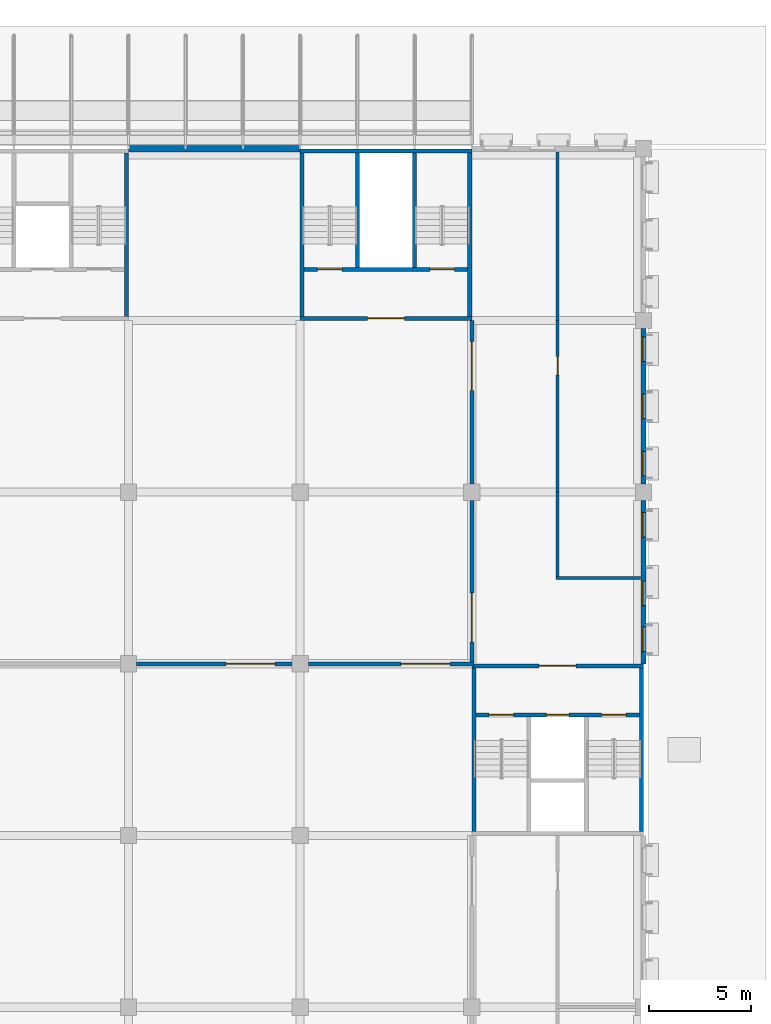
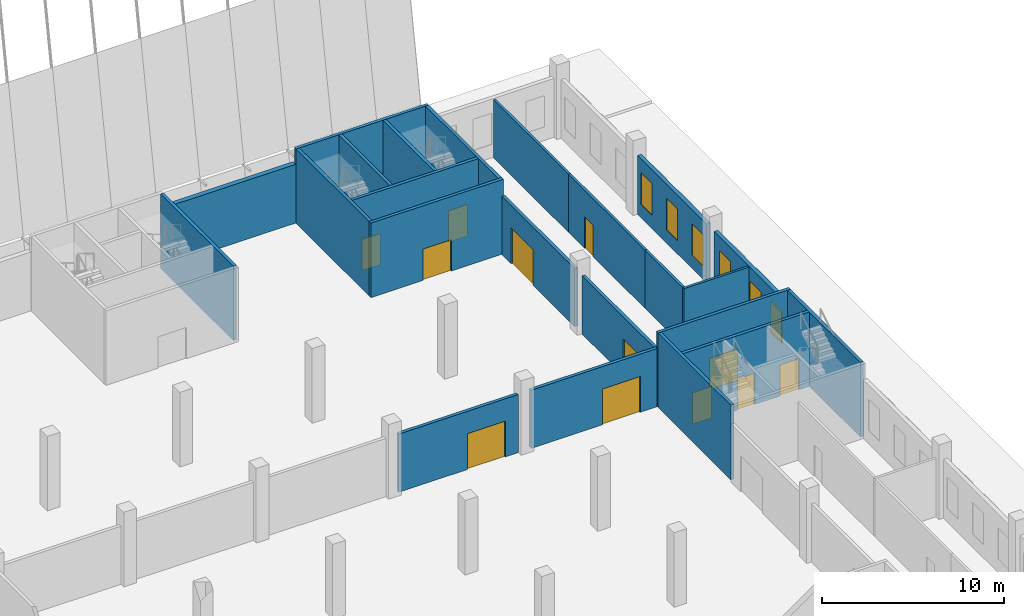
# One storey, part 41 of 101: 23 walls, 12 doors, 6 windows, 18 openings.
"""IFC4 building model written with IfcOpenShell, lengths in metres."""

from ifc_helpers import new_model, si_unit, direction, frame, frame_2d, origin, place, context, subcontext, project, spatial, rectangle, extrude, material, layer, layer_set, type_object, element, fill, save


model = new_model("IFC4")

# Units and contexts
model_context = context("Model", 3, precision=1e-05, world=origin(), true_north=direction((0.0, 1.0)))
body_context = subcontext(model_context, "Body", "Model", "MODEL_VIEW")
ifc_project = project(units=[si_unit("LENGTHUNIT", "METRE"), si_unit("AREAUNIT", "SQUARE_METRE"), si_unit("VOLUMEUNIT", "CUBIC_METRE"), si_unit("PLANEANGLEUNIT", "RADIAN"), si_unit("MASSUNIT", "GRAM", prefix="KILO")], contexts=[model_context])

# Site, building, storey
site_placement = place(None, origin())
site = spatial("IfcSite", under=ifc_project, at=site_placement, CompositionType="ELEMENT")
building_placement = place(site_placement, origin())
building = spatial("IfcBuilding", under=site, at=building_placement, Name="Almond Square Museum", CompositionType="ELEMENT")
storey_placement = place(building_placement, frame((0.0, 0.0, 5.5)))
storey = spatial("IfcBuildingStorey", under=building, at=storey_placement, Name="L01", CompositionType="ELEMENT", Elevation=5.5)

# Wall
ifc_material_1 = material(Name="Concrete C30/37", Category="concrete")
ifc_layer_1 = layer(ifc_material_1, 0.300048828125)
ifc_layer_set_1 = layer_set([ifc_layer_1], Name="Concrete C30/37")
wall_type_1 = type_object("IfcWallType", Name="Cast concrete wall 300 C30/37 behind louvre skin", PredefinedType="SOLIDWALL", material=ifc_layer_set_1)
wall_1_placement = place(storey_placement, frame((132.0, 109.199951171875, 0.0), z_axis=(0.0, 0.0, 1.0), x_axis=(1.0, 0.0, 0.0)))
element("IfcWall", 1, at=wall_1_placement, inside=storey, type_object=wall_type_1, Name="External wall W1 V1 L01 N01", PredefinedType="SOLIDWALL", context=body_context, shape_type="SweptSolid", body=[
    extrude(rectangle(XDim=8.39990234375, YDim=0.300048828125, at=frame_2d((4.199951171875, 0.0))), origin(), (0.0, 0.0, 1.0), 3.93994140625),
])

# Wall, opening, door
ifc_material_2 = material(Name="Painted gypsum board on steel stud", Category="steel")
ifc_layer_2 = layer(ifc_material_2, 0.199951171875)
ifc_layer_set_2 = layer_set([ifc_layer_2], Name="Painted gypsum board on steel stud")
wall_type_2 = type_object("IfcWallType", Name="Gallery wall 200 painted board on stud", PredefinedType="PARTITIONING", material=ifc_layer_set_2)
wall_2_placement = place(storey_placement, frame((148.800048828125, 84.10009765625, 0.0), z_axis=(0.0, 0.0, 1.0), x_axis=(0.0, 1.0, 0.0)))
wall_2 = element("IfcWall", 2, at=wall_2_placement, inside=storey, type_object=wall_type_2, Name="L01 partition 17", PredefinedType="PARTITIONING", context=body_context, shape_type="SweptSolid", body=[
    extrude(rectangle(XDim=7.89990234375, YDim=0.199951171875, at=frame_2d((3.949951171875, 0.0))), origin(), (0.0, 0.0, 1.0), 3.89990234375),
])
opening_1_placement = place(wall_2_placement, frame((0.97509765625, 0.0, 0.0)))
opening_1 = element("IfcOpeningElement", 3, at=opening_1_placement, cuts=wall_2, Name="Opening D1143", PredefinedType="OPENING", context=body_context, shape_type="SweptSolid", body=[
    extrude(rectangle(XDim=2.39990234375, YDim=2.39990234375, at=frame_2d((1.199951171875, 1.199951171875))), frame((0.0, 0.10986328125, 0.0), z_axis=(0.0, -1.0, 0.0), x_axis=(1.0, 0.0, 0.0)), (0.0, 0.0, 1.0), 0.219970703125),
])
ifc_material_3 = material(Name="Timber", Category="wood")
door_type_1 = type_object("IfcDoorType", Name="Gallery door 2400 x 2400 timber double", OperationType="NOTDEFINED", PredefinedType="DOOR", material=ifc_material_3)
door_1_placement = place(opening_1_placement, origin())
door_1 = element("IfcDoor", 4, at=door_1_placement, inside=storey, type_object=door_type_1, Name="L01 door Textile Gallery to Wing Corridor 1", OperationType="DOUBLE_DOOR_SINGLE_SWING", OverallHeight=2.39990234375, OverallWidth=2.39990234375, PredefinedType="DOOR", context=body_context, shape_type="SweptSolid", body=[
    extrude(rectangle(XDim=2.39990234375, YDim=2.39990234375, at=frame_2d((1.199951171875, 1.199951171875))), frame((0.0, 0.02490234375, 0.0), z_axis=(0.0, -1.0, 0.0), x_axis=(1.0, 0.0, 0.0)), (0.0, 0.0, 1.0), 0.050048828125),
])
fill(opening_1, door_1)

wall_3_placement = place(storey_placement, frame((148.800048828125, 92.800048828125, 0.0), z_axis=(0.0, 0.0, 1.0), x_axis=(0.0, 1.0, 0.0)))
wall_3 = element("IfcWall", 5, at=wall_3_placement, inside=storey, type_object=wall_type_2, Name="L01 partition 18", PredefinedType="PARTITIONING", context=body_context, shape_type="SweptSolid", body=[
    extrude(rectangle(XDim=8.0, YDim=0.199951171875, at=frame_2d((4.0, 0.0))), origin(), (0.0, 0.0, 1.0), 3.89990234375),
])
opening_2_placement = place(wall_3_placement, frame((4.574951171875, 0.0, 0.0)))
opening_2 = element("IfcOpeningElement", 6, at=opening_2_placement, cuts=wall_3, Name="Opening D1142", PredefinedType="OPENING", context=body_context, shape_type="SweptSolid", body=[
    extrude(rectangle(XDim=2.39990234375, YDim=2.39990234375, at=frame_2d((1.199951171875, 1.199951171875))), frame((0.0, 0.10986328125, 0.0), z_axis=(0.0, -1.0, 0.0), x_axis=(1.0, 0.0, 0.0)), (0.0, 0.0, 1.0), 0.219970703125),
])
door_2_placement = place(opening_2_placement, origin())
door_2 = element("IfcDoor", 7, at=door_2_placement, inside=storey, type_object=door_type_1, Name="L01 door Textile Gallery to Wing Corridor 1", OperationType="DOUBLE_DOOR_SINGLE_SWING", OverallHeight=2.39990234375, OverallWidth=2.39990234375, PredefinedType="DOOR", context=body_context, shape_type="SweptSolid", body=[
    extrude(rectangle(XDim=2.39990234375, YDim=2.39990234375, at=frame_2d((1.199951171875, 1.199951171875))), frame((0.0, 0.02490234375, 0.0), z_axis=(0.0, -1.0, 0.0), x_axis=(1.0, 0.0, 0.0)), (0.0, 0.0, 1.0), 0.050048828125),
])
fill(opening_2, door_2)

wall_4_placement = place(storey_placement, frame((132.39990234375, 84.0, 0.0), z_axis=(0.0, 0.0, 1.0), x_axis=(1.0, 0.0, 0.0)))
wall_4 = element("IfcWall", 8, at=wall_4_placement, inside=storey, type_object=wall_type_2, Name="L01 partition 24", PredefinedType="PARTITIONING", context=body_context, shape_type="SweptSolid", body=[
    extrude(rectangle(XDim=7.60009765625, YDim=0.199951171875, at=frame_2d((3.800048828125, 0.0))), origin(), (0.0, 0.0, 1.0), 3.89990234375),
])
opening_3_placement = place(wall_4_placement, frame((4.375, 0.0, 0.0)))
opening_3 = element("IfcOpeningElement", 9, at=opening_3_placement, cuts=wall_4, Name="Opening D1147", PredefinedType="OPENING", context=body_context, shape_type="SweptSolid", body=[
    extrude(rectangle(XDim=2.39990234375, YDim=2.39990234375, at=frame_2d((1.199951171875, 1.199951171875))), frame((0.0, 0.10986328125, 0.0), z_axis=(0.0, -1.0, 0.0), x_axis=(1.0, 0.0, 0.0)), (0.0, 0.0, 1.0), 0.219970703125),
])
door_3_placement = place(opening_3_placement, origin())
door_3 = element("IfcDoor", 10, at=door_3_placement, inside=storey, type_object=door_type_1, Name="L01 door Textile Gallery to Collection Gallery", OperationType="DOUBLE_DOOR_SINGLE_SWING", OverallHeight=2.39990234375, OverallWidth=2.39990234375, PredefinedType="DOOR", context=body_context, shape_type="SweptSolid", body=[
    extrude(rectangle(XDim=2.39990234375, YDim=2.39990234375, at=frame_2d((1.199951171875, 1.199951171875))), frame((0.0, 0.02490234375, 0.0), z_axis=(0.0, -1.0, 0.0), x_axis=(1.0, 0.0, 0.0)), (0.0, 0.0, 1.0), 0.050048828125),
])
fill(opening_3, door_3)

wall_5_placement = place(storey_placement, frame((140.800048828125, 84.0, 0.0), z_axis=(0.0, 0.0, 1.0), x_axis=(1.0, 0.0, 0.0)))
wall_5 = element("IfcWall", 11, at=wall_5_placement, inside=storey, type_object=wall_type_2, Name="L01 partition 25", PredefinedType="PARTITIONING", context=body_context, shape_type="SweptSolid", body=[
    extrude(rectangle(XDim=8.099853515625, YDim=0.199951171875, at=frame_2d((4.0498046875, 0.0))), origin(), (0.0, 0.0, 1.0), 3.89990234375),
])
opening_4_placement = place(wall_5_placement, frame((4.52490234375, 0.0, 0.0)))
opening_4 = element("IfcOpeningElement", 12, at=opening_4_placement, cuts=wall_5, Name="Opening D1146", PredefinedType="OPENING", context=body_context, shape_type="SweptSolid", body=[
    extrude(rectangle(XDim=2.39990234375, YDim=2.39990234375, at=frame_2d((1.199951171875, 1.199951171875))), frame((0.0, 0.10986328125, 0.0), z_axis=(0.0, -1.0, 0.0), x_axis=(1.0, 0.0, 0.0)), (0.0, 0.0, 1.0), 0.219970703125),
])
door_4_placement = place(opening_4_placement, origin())
door_4 = element("IfcDoor", 13, at=door_4_placement, inside=storey, type_object=door_type_1, Name="L01 door Textile Gallery to Collection Gallery", OperationType="DOUBLE_DOOR_SINGLE_SWING", OverallHeight=2.39990234375, OverallWidth=2.39990234375, PredefinedType="DOOR", context=body_context, shape_type="SweptSolid", body=[
    extrude(rectangle(XDim=2.39990234375, YDim=2.39990234375, at=frame_2d((1.199951171875, 1.199951171875))), frame((0.0, 0.02490234375, 0.0), z_axis=(0.0, -1.0, 0.0), x_axis=(1.0, 0.0, 0.0)), (0.0, 0.0, 1.0), 0.050048828125),
])
fill(opening_4, door_4)

# Walls
ifc_material_4 = material(Name="Plasterboard on steel stud", Category="steel")
ifc_layer_3 = layer(ifc_material_4, 0.14990234375)
ifc_layer_set_3 = layer_set([ifc_layer_3], Name="Plasterboard on steel stud")
wall_type_3 = type_object("IfcWallType", Name="Partition 150 plasterboard on steel stud", PredefinedType="PARTITIONING", material=ifc_layer_set_3)
for number, where, z_axis, x_axis, name in (
    (14, (152.925048828125, 88.199951171875, 0.0), (0.0, 0.0, 1.0), (1.0, 0.0, 0.0), "L01 partition 13"),
    (15, (153.0, 88.27490234375, 0.0), (0.0, 0.0, 1.0), (0.0, 1.0, 0.0), "L01 partition 14"),
):
    element("IfcWall", number, at=place(storey_placement, frame(where, z_axis=z_axis, x_axis=x_axis)), inside=storey, type_object=wall_type_3, Name=name, PredefinedType="PARTITIONING", context=body_context, shape_type="SweptSolid", body=[
        extrude(rectangle(XDim=4.125, YDim=0.14990234375, at=frame_2d((2.0625, 0.0))), origin(), (0.0, 0.0, 1.0), 3.89990234375),
    ])

# Wall, opening, door
wall_6_placement = place(storey_placement, frame((153.0, 92.39990234375, 0.0), z_axis=(0.0, 0.0, 1.0), x_axis=(0.0, 1.0, 0.0)))
wall_6 = element("IfcWall", 16, at=wall_6_placement, inside=storey, type_object=wall_type_3, Name="L01 partition 15", PredefinedType="PARTITIONING", context=body_context, shape_type="SweptSolid", body=[
    extrude(rectangle(XDim=8.400146484375, YDim=0.14990234375, at=frame_2d((4.2001953125, 0.0))), origin(), (0.0, 0.0, 1.0), 3.89990234375),
])
opening_5_placement = place(wall_6_placement, frame((5.72509765625, 0.0, 0.0)))
opening_5 = element("IfcOpeningElement", 17, at=opening_5_placement, cuts=wall_6, Name="Opening D1106", PredefinedType="OPENING", context=body_context, shape_type="SweptSolid", body=[
    extrude(rectangle(XDim=0.89990234375, YDim=2.10009765625, at=frame_2d((0.449951171875, 1.050048828125))), frame((0.0, 0.0849609375, 0.0), z_axis=(0.0, -1.0, 0.0), x_axis=(1.0, 0.0, 0.0)), (0.0, 0.0, 1.0), 0.169921875),
])
ifc_material_5 = material(Name="Timber", Category="wood")
door_type_2 = type_object("IfcDoorType", Name="Door 900 x 2100 timber single", OperationType="NOTDEFINED", PredefinedType="DOOR", material=ifc_material_5)
door_5_placement = place(opening_5_placement, origin())
door_5 = element("IfcDoor", 18, at=door_5_placement, inside=storey, type_object=door_type_2, Name="L01 door Director Office to Wing Corridor 1", OperationType="SINGLE_SWING_RIGHT", OverallHeight=2.10009765625, OverallWidth=0.89990234375, PredefinedType="DOOR", context=body_context, shape_type="SweptSolid", body=[
    extrude(rectangle(XDim=0.89990234375, YDim=2.10009765625, at=frame_2d((0.449951171875, 1.050048828125))), frame((0.0, 0.02490234375, 0.0), z_axis=(0.0, -1.0, 0.0), x_axis=(1.0, 0.0, 0.0)), (0.0, 0.0, 1.0), 0.050048828125),
])
fill(opening_5, door_5)

# Wall
wall_7_placement = place(storey_placement, frame((153.0, 100.800048828125, 0.0), z_axis=(0.0, 0.0, 1.0), x_axis=(0.0, 1.0, 0.0)))
element("IfcWall", 19, at=wall_7_placement, inside=storey, type_object=wall_type_3, Name="L01 partition 16", PredefinedType="PARTITIONING", context=body_context, shape_type="SweptSolid", body=[
    extrude(rectangle(XDim=8.25, YDim=0.14990234375, at=frame_2d((4.125, 0.0))), origin(), (0.0, 0.0, 1.0), 3.89990234375),
])

# Wall, openings, windows
ifc_material_6 = material(Name="Precast concrete C40/50", Category="concrete")
ifc_layer_4 = layer(ifc_material_6, 0.25)
ifc_layer_set_4 = layer_set([ifc_layer_4], Name="Precast concrete C40/50")
wall_type_4 = type_object("IfcWallType", Name="Precast concrete panel wall 250 with coral limestone piers", PredefinedType="SOLIDWALL", material=ifc_layer_set_4)
wall_8_placement = place(storey_placement, frame((157.199951171875, 84.0, 0.0), z_axis=(0.0, 0.0, 1.0), x_axis=(0.0, 1.0, 0.0)))
wall_8 = element("IfcWall", 20, at=wall_8_placement, inside=storey, type_object=wall_type_4, Name="External wall W2 V4E L01 E04", PredefinedType="SOLIDWALL", context=body_context, shape_type="SweptSolid", body=[
    extrude(rectangle(XDim=8.0, YDim=0.25, at=frame_2d((4.0, 0.0))), origin(), (0.0, 0.0, 1.0), 3.93994140625),
])
opening_6_placement = place(wall_8_placement, frame((0.60009765625, 0.0, 0.89990234375)))
opening_6 = element("IfcOpeningElement", 21, at=opening_6_placement, cuts=wall_8, Name="Opening W1072", PredefinedType="OPENING", context=body_context, shape_type="SweptSolid", body=[
    extrude(rectangle(XDim=1.199951171875, YDim=2.10009765625, at=frame_2d((0.60009765625, 1.050048828125))), frame((0.0, 0.135009765625, 0.0), z_axis=(0.0, -1.0, 0.0), x_axis=(1.0, 0.0, 0.0)), (0.0, 0.0, 1.0), 0.27001953125),
])
opening_7_placement = place(wall_8_placement, frame((2.85009765625, 0.0, 0.89990234375)))
opening_7 = element("IfcOpeningElement", 22, at=opening_7_placement, cuts=wall_8, Name="Opening W1073", PredefinedType="OPENING", context=body_context, shape_type="SweptSolid", body=[
    extrude(rectangle(XDim=1.199951171875, YDim=2.10009765625, at=frame_2d((0.60009765625, 1.050048828125))), frame((0.0, 0.135009765625, 0.0), z_axis=(0.0, -1.0, 0.0), x_axis=(1.0, 0.0, 0.0)), (0.0, 0.0, 1.0), 0.27001953125),
])
opening_8_placement = place(wall_8_placement, frame((6.199951171875, 0.0, 0.89990234375)))
opening_8 = element("IfcOpeningElement", 23, at=opening_8_placement, cuts=wall_8, Name="Opening W1074", PredefinedType="OPENING", context=body_context, shape_type="SweptSolid", body=[
    extrude(rectangle(XDim=1.199951171875, YDim=2.10009765625, at=frame_2d((0.60009765625, 1.050048828125))), frame((0.0, 0.135009765625, 0.0), z_axis=(0.0, -1.0, 0.0), x_axis=(1.0, 0.0, 0.0)), (0.0, 0.0, 1.0), 0.27001953125),
])
ifc_material_7 = material(Name="Anodised aluminium louvre and laminated glass", Category="aluminium")
window_type = type_object("IfcWindowType", Name="Louvred pier window", PartitioningType="SINGLE_PANEL", PredefinedType="WINDOW", material=ifc_material_7)
window_1_placement = place(opening_6_placement, origin())
window_1 = element("IfcWindow", 24, at=window_1_placement, inside=storey, type_object=window_type, Name="Louvred pier window W1072", OverallHeight=2.10009765625, OverallWidth=1.199951171875, PartitioningType="SINGLE_PANEL", PredefinedType="WINDOW", context=body_context, shape_type="SweptSolid", body=[
    extrude(rectangle(XDim=1.199951171875, YDim=2.10009765625, at=frame_2d((0.60009765625, 1.050048828125))), frame((0.0, 0.10498046875, 0.0), z_axis=(0.0, -1.0, 0.0), x_axis=(1.0, 0.0, 0.0)), (0.0, 0.0, 1.0), 0.06005859375),
])
fill(opening_6, window_1)
window_2_placement = place(opening_7_placement, origin())
window_2 = element("IfcWindow", 25, at=window_2_placement, inside=storey, type_object=window_type, Name="Louvred pier window W1073", OverallHeight=2.10009765625, OverallWidth=1.199951171875, PartitioningType="SINGLE_PANEL", PredefinedType="WINDOW", context=body_context, shape_type="SweptSolid", body=[
    extrude(rectangle(XDim=1.199951171875, YDim=2.10009765625, at=frame_2d((0.60009765625, 1.050048828125))), frame((0.0, 0.10498046875, 0.0), z_axis=(0.0, -1.0, 0.0), x_axis=(1.0, 0.0, 0.0)), (0.0, 0.0, 1.0), 0.06005859375),
])
fill(opening_7, window_2)
window_3_placement = place(opening_8_placement, origin())
window_3 = element("IfcWindow", 26, at=window_3_placement, inside=storey, type_object=window_type, Name="Louvred pier window W1074", OverallHeight=2.10009765625, OverallWidth=1.199951171875, PartitioningType="SINGLE_PANEL", PredefinedType="WINDOW", context=body_context, shape_type="SweptSolid", body=[
    extrude(rectangle(XDim=1.199951171875, YDim=2.10009765625, at=frame_2d((0.60009765625, 1.050048828125))), frame((0.0, 0.10498046875, 0.0), z_axis=(0.0, -1.0, 0.0), x_axis=(1.0, 0.0, 0.0)), (0.0, 0.0, 1.0), 0.06005859375),
])
fill(opening_8, window_3)

wall_9_placement = place(storey_placement, frame((157.199951171875, 92.800048828125, 0.0), z_axis=(0.0, 0.0, 1.0), x_axis=(0.0, 1.0, 0.0)))
wall_9 = element("IfcWall", 27, at=wall_9_placement, inside=storey, type_object=wall_type_4, Name="External wall W2 V4E L01 E05", PredefinedType="SOLIDWALL", context=body_context, shape_type="SweptSolid", body=[
    extrude(rectangle(XDim=7.599853515625, YDim=0.25, at=frame_2d((3.7998046875, 0.0))), origin(), (0.0, 0.0, 1.0), 3.93994140625),
])
opening_9_placement = place(wall_9_placement, frame((0.39990234375, 0.0, 0.89990234375)))
opening_9 = element("IfcOpeningElement", 28, at=opening_9_placement, cuts=wall_9, Name="Opening W1075", PredefinedType="OPENING", context=body_context, shape_type="SweptSolid", body=[
    extrude(rectangle(XDim=1.199951171875, YDim=2.10009765625, at=frame_2d((0.60009765625, 1.050048828125))), frame((0.0, 0.135009765625, 0.0), z_axis=(0.0, -1.0, 0.0), x_axis=(1.0, 0.0, 0.0)), (0.0, 0.0, 1.0), 0.27001953125),
])
opening_10_placement = place(wall_9_placement, frame((3.199951171875, 0.0, 0.89990234375)))
opening_10 = element("IfcOpeningElement", 29, at=opening_10_placement, cuts=wall_9, Name="Opening W1076", PredefinedType="OPENING", context=body_context, shape_type="SweptSolid", body=[
    extrude(rectangle(XDim=1.199951171875, YDim=2.10009765625, at=frame_2d((0.60009765625, 1.050048828125))), frame((0.0, 0.135009765625, 0.0), z_axis=(0.0, -1.0, 0.0), x_axis=(1.0, 0.0, 0.0)), (0.0, 0.0, 1.0), 0.27001953125),
])
opening_11_placement = place(wall_9_placement, frame((6.0, 0.0, 0.89990234375)))
opening_11 = element("IfcOpeningElement", 30, at=opening_11_placement, cuts=wall_9, Name="Opening W1077", PredefinedType="OPENING", context=body_context, shape_type="SweptSolid", body=[
    extrude(rectangle(XDim=1.199951171875, YDim=2.10009765625, at=frame_2d((0.60009765625, 1.050048828125))), frame((0.0, 0.135009765625, 0.0), z_axis=(0.0, -1.0, 0.0), x_axis=(1.0, 0.0, 0.0)), (0.0, 0.0, 1.0), 0.27001953125),
])
window_4_placement = place(opening_9_placement, origin())
window_4 = element("IfcWindow", 31, at=window_4_placement, inside=storey, type_object=window_type, Name="Louvred pier window W1075", OverallHeight=2.10009765625, OverallWidth=1.199951171875, PartitioningType="SINGLE_PANEL", PredefinedType="WINDOW", context=body_context, shape_type="SweptSolid", body=[
    extrude(rectangle(XDim=1.199951171875, YDim=2.10009765625, at=frame_2d((0.60009765625, 1.050048828125))), frame((0.0, 0.10498046875, 0.0), z_axis=(0.0, -1.0, 0.0), x_axis=(1.0, 0.0, 0.0)), (0.0, 0.0, 1.0), 0.06005859375),
])
fill(opening_9, window_4)
window_5_placement = place(opening_10_placement, origin())
window_5 = element("IfcWindow", 32, at=window_5_placement, inside=storey, type_object=window_type, Name="Louvred pier window W1076", OverallHeight=2.10009765625, OverallWidth=1.199951171875, PartitioningType="SINGLE_PANEL", PredefinedType="WINDOW", context=body_context, shape_type="SweptSolid", body=[
    extrude(rectangle(XDim=1.199951171875, YDim=2.10009765625, at=frame_2d((0.60009765625, 1.050048828125))), frame((0.0, 0.10498046875, 0.0), z_axis=(0.0, -1.0, 0.0), x_axis=(1.0, 0.0, 0.0)), (0.0, 0.0, 1.0), 0.06005859375),
])
fill(opening_10, window_5)
window_6_placement = place(opening_11_placement, origin())
window_6 = element("IfcWindow", 33, at=window_6_placement, inside=storey, type_object=window_type, Name="Louvred pier window W1077", OverallHeight=2.10009765625, OverallWidth=1.199951171875, PartitioningType="SINGLE_PANEL", PredefinedType="WINDOW", context=body_context, shape_type="SweptSolid", body=[
    extrude(rectangle(XDim=1.199951171875, YDim=2.10009765625, at=frame_2d((0.60009765625, 1.050048828125))), frame((0.0, 0.10498046875, 0.0), z_axis=(0.0, -1.0, 0.0), x_axis=(1.0, 0.0, 0.0)), (0.0, 0.0, 1.0), 0.06005859375),
])
fill(opening_11, window_6)

# Wall, opening, door
ifc_material_8 = material(Name="Concrete C40/50", Category="concrete")
ifc_layer_5 = layer(ifc_material_8, 0.199951171875)
ifc_layer_set_5 = layer_set([ifc_layer_5], Name="Concrete C40/50")
wall_type_5 = type_object("IfcWallType", Name="RC shear wall 200 C40/50", PredefinedType="SHEAR", material=ifc_layer_set_5)
wall_10_placement = place(storey_placement, frame((140.39990234375, 100.89990234375, 0.0), z_axis=(0.0, 0.0, 1.0), x_axis=(1.0, 0.0, 0.0)))
wall_10 = element("IfcWall", 34, at=wall_10_placement, inside=storey, type_object=wall_type_5, Name="Core H3 south wall L01", PredefinedType="SHEAR", context=body_context, shape_type="SweptSolid", body=[
    extrude(rectangle(XDim=8.400146484375, YDim=0.199951171875, at=frame_2d((4.2001953125, 0.0))), origin(), (0.0, 0.0, 1.0), 5.0),
])
opening_12_placement = place(wall_10_placement, frame((3.300048828125, 0.0, 0.0)))
opening_12 = element("IfcOpeningElement", 35, at=opening_12_placement, cuts=wall_10, Name="Opening D1158", PredefinedType="OPENING", context=body_context, shape_type="SweptSolid", body=[
    extrude(rectangle(XDim=1.800048828125, YDim=2.10009765625, at=frame_2d((0.89990234375, 1.050048828125))), frame((0.0, 0.10986328125, 0.0), z_axis=(0.0, -1.0, 0.0), x_axis=(1.0, 0.0, 0.0)), (0.0, 0.0, 1.0), 0.219970703125),
])
ifc_material_9 = material(Name="Steel", Category="steel")
door_type_3 = type_object("IfcDoorType", Name="Fire door 1800 x 2100 FD60 double", OperationType="NOTDEFINED", PredefinedType="DOOR", material=ifc_material_9)
door_6_placement = place(opening_12_placement, origin())
door_6 = element("IfcDoor", 36, at=door_6_placement, inside=storey, type_object=door_type_3, Name="L01 stair core H3 lobby door", OperationType="DOUBLE_DOOR_SINGLE_SWING", OverallHeight=2.10009765625, OverallWidth=1.800048828125, PredefinedType="DOOR", context=body_context, shape_type="SweptSolid", body=[
    extrude(rectangle(XDim=1.800048828125, YDim=2.10009765625, at=frame_2d((0.89990234375, 1.050048828125))), frame((0.0, 0.02490234375, 0.0), z_axis=(0.0, -1.0, 0.0), x_axis=(1.0, 0.0, 0.0)), (0.0, 0.0, 1.0), 0.050048828125),
])
fill(opening_12, door_6)

# Walls
wall_11_placement = place(storey_placement, frame((140.39990234375, 109.10009765625, 0.0), z_axis=(0.0, 0.0, 1.0), x_axis=(1.0, 0.0, 0.0)))
element("IfcWall", 37, at=wall_11_placement, inside=storey, type_object=wall_type_5, Name="Core H3 north wall L01", PredefinedType="SHEAR", context=body_context, shape_type="SweptSolid", body=[
    extrude(rectangle(XDim=8.400146484375, YDim=0.199951171875, at=frame_2d((4.2001953125, 0.0))), origin(), (0.0, 0.0, 1.0), 5.0),
])
for number, where, z_axis, x_axis, name in (
    (38, (140.5, 101.0, 0.0), (0.0, 0.0, 1.0), (0.0, 1.0, 0.0), "Core H3 west wall L01"),
    (39, (148.699951171875, 101.0, 0.0), (0.0, 0.0, 1.0), (0.0, 1.0, 0.0), "Core H3 east wall L01"),
):
    element("IfcWall", number, at=place(storey_placement, frame(where, z_axis=z_axis, x_axis=x_axis)), inside=storey, type_object=wall_type_5, Name=name, PredefinedType="SHEAR", context=body_context, shape_type="SweptSolid", body=[
        extrude(rectangle(XDim=8.0, YDim=0.199951171875, at=frame_2d((4.0, 0.0))), origin(), (0.0, 0.0, 1.0), 5.0),
    ])

# Wall, openings, doors
wall_12_placement = place(storey_placement, frame((140.60009765625, 103.300048828125, 0.0), z_axis=(0.0, 0.0, 1.0), x_axis=(1.0, 0.0, 0.0)))
wall_12 = element("IfcWall", 40, at=wall_12_placement, inside=storey, type_object=wall_type_5, Name="Core H3 lobby wall L01", PredefinedType="SHEAR", context=body_context, shape_type="SweptSolid", body=[
    extrude(rectangle(XDim=8.0, YDim=0.199951171875, at=frame_2d((4.0, 0.0))), origin(), (0.0, 0.0, 1.0), 5.0),
])
opening_13_placement = place(wall_12_placement, frame((0.64990234375, 0.0, 0.0)))
opening_13 = element("IfcOpeningElement", 41, at=opening_13_placement, cuts=wall_12, Name="Opening D1159", PredefinedType="OPENING", context=body_context, shape_type="SweptSolid", body=[
    extrude(rectangle(XDim=1.199951171875, YDim=2.10009765625, at=frame_2d((0.60009765625, 1.050048828125))), frame((0.0, 0.10986328125, 0.0), z_axis=(0.0, -1.0, 0.0), x_axis=(1.0, 0.0, 0.0)), (0.0, 0.0, 1.0), 0.219970703125),
])
opening_14_placement = place(wall_12_placement, frame((6.14990234375, 0.0, 0.0)))
opening_14 = element("IfcOpeningElement", 42, at=opening_14_placement, cuts=wall_12, Name="Opening D1160", PredefinedType="OPENING", context=body_context, shape_type="SweptSolid", body=[
    extrude(rectangle(XDim=1.199951171875, YDim=2.10009765625, at=frame_2d((0.60009765625, 1.050048828125))), frame((0.0, 0.10986328125, 0.0), z_axis=(0.0, -1.0, 0.0), x_axis=(1.0, 0.0, 0.0)), (0.0, 0.0, 1.0), 0.219970703125),
])
ifc_material_10 = material(Name="Steel", Category="steel")
door_type_4 = type_object("IfcDoorType", Name="Fire door 1200 x 2100 FD120 stair", OperationType="NOTDEFINED", PredefinedType="DOOR", material=ifc_material_10)
door_7_placement = place(opening_13_placement, origin())
door_7 = element("IfcDoor", 43, at=door_7_placement, inside=storey, type_object=door_type_4, Name="L01 stair H3-1 door", OperationType="SINGLE_SWING_LEFT", OverallHeight=2.10009765625, OverallWidth=1.199951171875, PredefinedType="DOOR", context=body_context, shape_type="SweptSolid", body=[
    extrude(rectangle(XDim=1.199951171875, YDim=2.10009765625, at=frame_2d((0.60009765625, 1.050048828125))), frame((0.0, 0.02490234375, 0.0), z_axis=(0.0, -1.0, 0.0), x_axis=(1.0, 0.0, 0.0)), (0.0, 0.0, 1.0), 0.050048828125),
])
fill(opening_13, door_7)
door_8_placement = place(opening_14_placement, origin())
door_8 = element("IfcDoor", 44, at=door_8_placement, inside=storey, type_object=door_type_4, Name="L01 stair H3-2 door", OperationType="SINGLE_SWING_RIGHT", OverallHeight=2.10009765625, OverallWidth=1.199951171875, PredefinedType="DOOR", context=body_context, shape_type="SweptSolid", body=[
    extrude(rectangle(XDim=1.199951171875, YDim=2.10009765625, at=frame_2d((0.60009765625, 1.050048828125))), frame((0.0, 0.02490234375, 0.0), z_axis=(0.0, -1.0, 0.0), x_axis=(1.0, 0.0, 0.0)), (0.0, 0.0, 1.0), 0.050048828125),
])
fill(opening_14, door_8)

# Walls
for number, where, z_axis, x_axis, name in (
    (45, (143.199951171875, 103.39990234375, 0.0), (0.0, 0.0, 1.0), (0.0, 1.0, 0.0), "Core H3 partition wall L01"),
    (46, (146.0, 103.39990234375, 0.0), (0.0, 0.0, 1.0), (0.0, 1.0, 0.0), "Core H3 partition wall L01"),
):
    element("IfcWall", number, at=place(storey_placement, frame(where, z_axis=z_axis, x_axis=x_axis)), inside=storey, type_object=wall_type_5, Name=name, PredefinedType="SHEAR", context=body_context, shape_type="SweptSolid", body=[
        extrude(rectangle(XDim=5.60009765625, YDim=0.199951171875, at=frame_2d((2.800048828125, 0.0))), origin(), (0.0, 0.0, 1.0), 5.0),
    ])
wall_13_placement = place(storey_placement, frame((131.89990234375, 101.0, 0.0), z_axis=(0.0, 0.0, 1.0), x_axis=(0.0, 1.0, 0.0)))
element("IfcWall", 47, at=wall_13_placement, inside=storey, type_object=wall_type_5, Name="Core H4 east wall L01", PredefinedType="SHEAR", context=body_context, shape_type="SweptSolid", body=[
    extrude(rectangle(XDim=8.0, YDim=0.199951171875, at=frame_2d((4.0, 0.0))), origin(), (0.0, 0.0, 1.0), 5.0),
])

# Wall, opening, door
wall_14_placement = place(storey_placement, frame((148.800048828125, 83.89990234375, 0.0), z_axis=(0.0, 0.0, 1.0), x_axis=(1.0, 0.0, 0.0)))
wall_14 = element("IfcWall", 48, at=wall_14_placement, inside=storey, type_object=wall_type_5, Name="Core E1 north wall L01", PredefinedType="SHEAR", context=body_context, shape_type="SweptSolid", body=[
    extrude(rectangle(XDim=8.39990234375, YDim=0.199951171875, at=frame_2d((4.199951171875, 0.0))), origin(), (0.0, 0.0, 1.0), 5.0),
])
opening_15_placement = place(wall_14_placement, frame((3.300048828125, 0.0, 0.0)))
opening_15 = element("IfcOpeningElement", 49, at=opening_15_placement, cuts=wall_14, Name="Opening D1193", PredefinedType="OPENING", context=body_context, shape_type="SweptSolid", body=[
    extrude(rectangle(XDim=1.800048828125, YDim=2.10009765625, at=frame_2d((0.89990234375, 1.050048828125))), frame((0.0, 0.10986328125, 0.0), z_axis=(0.0, -1.0, 0.0), x_axis=(1.0, 0.0, 0.0)), (0.0, 0.0, 1.0), 0.219970703125),
])
door_9_placement = place(opening_15_placement, origin())
door_9 = element("IfcDoor", 50, at=door_9_placement, inside=storey, type_object=door_type_3, Name="L01 stair core E1 lobby door", OperationType="DOUBLE_DOOR_SINGLE_SWING", OverallHeight=2.10009765625, OverallWidth=1.800048828125, PredefinedType="DOOR", context=body_context, shape_type="SweptSolid", body=[
    extrude(rectangle(XDim=1.800048828125, YDim=2.10009765625, at=frame_2d((0.89990234375, 1.050048828125))), frame((0.0, 0.02490234375, 0.0), z_axis=(0.0, -1.0, 0.0), x_axis=(1.0, 0.0, 0.0)), (0.0, 0.0, 1.0), 0.050048828125),
])
fill(opening_15, door_9)

# Walls
for number, where, z_axis, x_axis, name in (
    (51, (148.89990234375, 75.800048828125, 0.0), (0.0, 0.0, 1.0), (0.0, 1.0, 0.0), "Core E1 west wall L01"),
    (52, (157.10009765625, 75.800048828125, 0.0), (0.0, 0.0, 1.0), (0.0, 1.0, 0.0), "Core E1 east wall L01"),
):
    element("IfcWall", number, at=place(storey_placement, frame(where, z_axis=z_axis, x_axis=x_axis)), inside=storey, type_object=wall_type_5, Name=name, PredefinedType="SHEAR", context=body_context, shape_type="SweptSolid", body=[
        extrude(rectangle(XDim=8.0, YDim=0.199951171875, at=frame_2d((4.0, 0.0))), origin(), (0.0, 0.0, 1.0), 5.0),
    ])

# Wall, openings, doors
wall_15_placement = place(storey_placement, frame((149.0, 81.5, 0.0), z_axis=(0.0, 0.0, 1.0), x_axis=(1.0, 0.0, 0.0)))
wall_15 = element("IfcWall", 53, at=wall_15_placement, inside=storey, type_object=wall_type_5, Name="Core E1 lobby wall L01", PredefinedType="SHEAR", context=body_context, shape_type="SweptSolid", body=[
    extrude(rectangle(XDim=8.0, YDim=0.199951171875, at=frame_2d((4.0, 0.0))), origin(), (0.0, 0.0, 1.0), 5.0),
])
opening_16_placement = place(wall_15_placement, frame((0.64990234375, 0.0, 0.0)))
opening_16 = element("IfcOpeningElement", 54, at=opening_16_placement, cuts=wall_15, Name="Opening D1194", PredefinedType="OPENING", context=body_context, shape_type="SweptSolid", body=[
    extrude(rectangle(XDim=1.199951171875, YDim=2.10009765625, at=frame_2d((0.60009765625, 1.050048828125))), frame((0.0, 0.10986328125, 0.0), z_axis=(0.0, -1.0, 0.0), x_axis=(1.0, 0.0, 0.0)), (0.0, 0.0, 1.0), 0.219970703125),
])
opening_17_placement = place(wall_15_placement, frame((6.14990234375, 0.0, 0.0)))
opening_17 = element("IfcOpeningElement", 55, at=opening_17_placement, cuts=wall_15, Name="Opening D1195", PredefinedType="OPENING", context=body_context, shape_type="SweptSolid", body=[
    extrude(rectangle(XDim=1.199951171875, YDim=2.10009765625, at=frame_2d((0.60009765625, 1.050048828125))), frame((0.0, 0.10986328125, 0.0), z_axis=(0.0, -1.0, 0.0), x_axis=(1.0, 0.0, 0.0)), (0.0, 0.0, 1.0), 0.219970703125),
])
opening_18_placement = place(wall_15_placement, frame((3.449951171875, 0.0, 0.0)))
opening_18 = element("IfcOpeningElement", 56, at=opening_18_placement, cuts=wall_15, Name="Opening D1196", PredefinedType="OPENING", context=body_context, shape_type="SweptSolid", body=[
    extrude(rectangle(XDim=1.10009765625, YDim=2.10009765625, at=frame_2d((0.550048828125, 1.050048828125))), frame((0.0, 0.10986328125, 0.0), z_axis=(0.0, -1.0, 0.0), x_axis=(1.0, 0.0, 0.0)), (0.0, 0.0, 1.0), 0.219970703125),
])
door_10_placement = place(opening_16_placement, origin())
door_10 = element("IfcDoor", 57, at=door_10_placement, inside=storey, type_object=door_type_4, Name="L01 stair E1-1 door", OperationType="SINGLE_SWING_LEFT", OverallHeight=2.10009765625, OverallWidth=1.199951171875, PredefinedType="DOOR", context=body_context, shape_type="SweptSolid", body=[
    extrude(rectangle(XDim=1.199951171875, YDim=2.10009765625, at=frame_2d((0.60009765625, 1.050048828125))), frame((0.0, 0.02490234375, 0.0), z_axis=(0.0, -1.0, 0.0), x_axis=(1.0, 0.0, 0.0)), (0.0, 0.0, 1.0), 0.050048828125),
])
fill(opening_16, door_10)
door_11_placement = place(opening_17_placement, origin())
door_11 = element("IfcDoor", 58, at=door_11_placement, inside=storey, type_object=door_type_4, Name="L01 stair E1-2 door", OperationType="SINGLE_SWING_RIGHT", OverallHeight=2.10009765625, OverallWidth=1.199951171875, PredefinedType="DOOR", context=body_context, shape_type="SweptSolid", body=[
    extrude(rectangle(XDim=1.199951171875, YDim=2.10009765625, at=frame_2d((0.60009765625, 1.050048828125))), frame((0.0, 0.02490234375, 0.0), z_axis=(0.0, -1.0, 0.0), x_axis=(1.0, 0.0, 0.0)), (0.0, 0.0, 1.0), 0.050048828125),
])
fill(opening_17, door_11)
ifc_material_11 = material(Name="Stainless steel", Category="steel")
door_type_5 = type_object("IfcDoorType", Name="Lift landing door 1100 x 2100", OperationType="NOTDEFINED", PredefinedType="DOOR", material=ifc_material_11)
door_12_placement = place(opening_18_placement, origin())
door_12 = element("IfcDoor", 59, at=door_12_placement, inside=storey, type_object=door_type_5, Name="L01 lift PL-E1 landing door", OperationType="DOUBLE_DOOR_SLIDING", OverallHeight=2.10009765625, OverallWidth=1.10009765625, PredefinedType="DOOR", context=body_context, shape_type="SweptSolid", body=[
    extrude(rectangle(XDim=1.10009765625, YDim=2.10009765625, at=frame_2d((0.550048828125, 1.050048828125))), frame((0.0, 0.02490234375, 0.0), z_axis=(0.0, -1.0, 0.0), x_axis=(1.0, 0.0, 0.0)), (0.0, 0.0, 1.0), 0.050048828125),
])
fill(opening_18, door_12)

save(model, "model.ifc")
